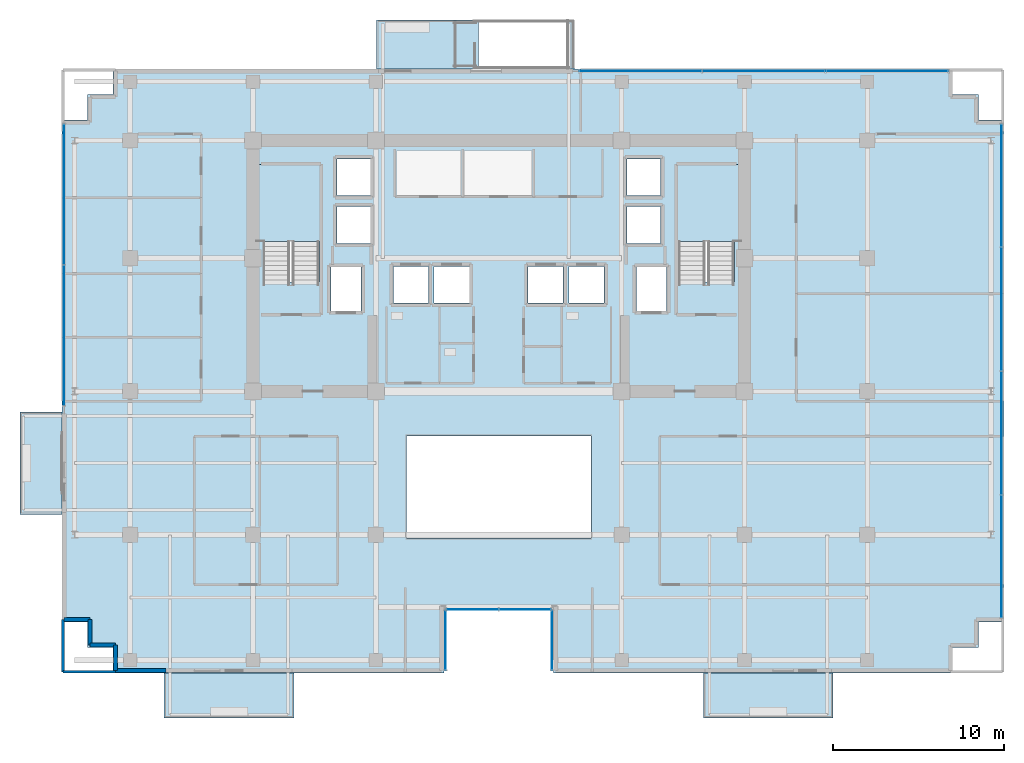
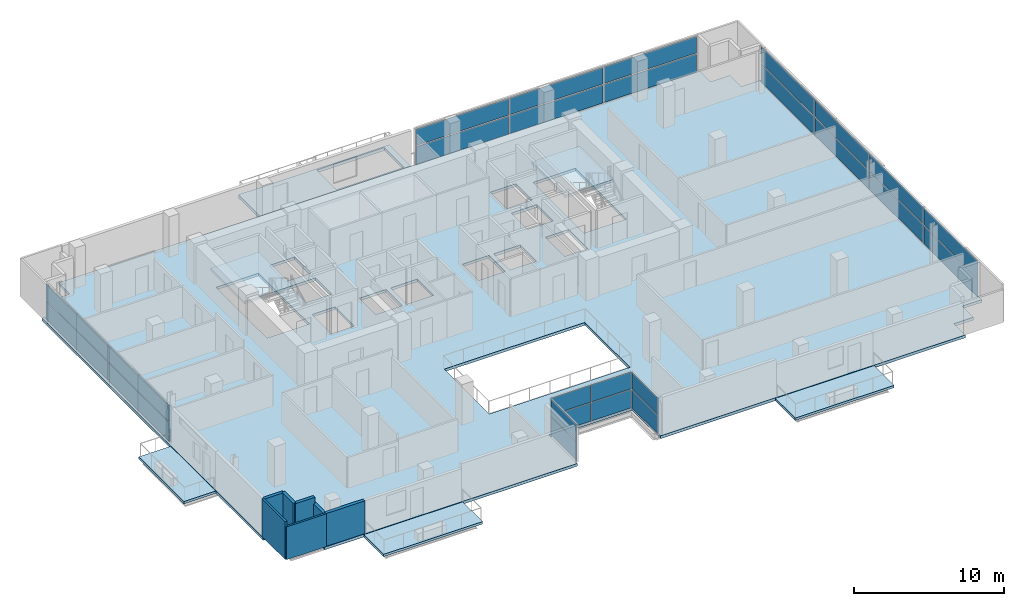
# One storey, part 14 of 23: 26 plates, 7 slabs, 7 walls, 8 elements without a shape of their own.
"""IFC4 building model written with IfcOpenShell, lengths in metres."""

from ifc_helpers import new_model, si_unit, direction, frame, frame_2d, origin, origin_2d, place, context, subcontext, project, spatial, polyline, rectangle, outline, extrude, source, transform, mapped, material, layer, layer_set, type_object, element, aggregate, save


model = new_model("IFC4")

# Units and contexts
model_context = context("Model", 3, precision=1e-05, world=origin(), true_north=direction((0.0, 1.0)))
body_context = subcontext(model_context, "Body", "Model", "MODEL_VIEW")
ifc_project = project(units=[si_unit("LENGTHUNIT", "METRE"), si_unit("AREAUNIT", "SQUARE_METRE"), si_unit("VOLUMEUNIT", "CUBIC_METRE"), si_unit("PLANEANGLEUNIT", "RADIAN"), si_unit("MASSUNIT", "GRAM", prefix="KILO")], contexts=[model_context])

# Site, building, storey
site_placement = place(None, origin())
site = spatial("IfcSite", under=ifc_project, at=site_placement, CompositionType="ELEMENT")
building_placement = place(site_placement, origin())
building = spatial("IfcBuilding", under=site, at=building_placement, Name="Zarnakvel Exchange Tower", CompositionType="ELEMENT")
storey_placement = place(building_placement, frame((0.0, 0.0, 116.5)))
storey = spatial("IfcBuildingStorey", under=building, at=storey_placement, Name="L32", CompositionType="ELEMENT", Elevation=116.5)

# Stair, slab
ifc_material_1 = material(Name="Concrete C40/50", Category="concrete")
stair_type = type_object("IfcStairType", Name="STR-01", PredefinedType="HALF_TURN_STAIR", material=ifc_material_1)
stair_1_placement = place(storey_placement, origin())
stair_1 = element("IfcStair", 1, at=stair_1_placement, inside=storey, type_object=stair_type, Name="L32 Protected Core Exit Stair ST-01", PredefinedType="HALF_TURN_STAIR")
ifc_layer_1 = layer(ifc_material_1, 0.199951171875)
ifc_layer_set_1 = layer_set([ifc_layer_1], Name="Concrete C40/50")
slab_type_1 = type_object("IfcSlabType", Name="LDG-01", PredefinedType="LANDING", material=ifc_layer_set_1)
slab_1_placement = place(storey_placement, frame((0.0, 0.0, 1.449951171875)))
slab_1 = element("IfcSlab", 2, at=slab_1_placement, type_object=slab_type_1, Name="ST-01 landing 1", PredefinedType="LANDING", context=body_context, shape_type="SweptSolid", body=[
    extrude(outline(polyline([(-14.18994140625, 7.570068359375), (-10.4599609375, 7.570068359375), (-10.4599609375, 12.080078125), (-14.18994140625, 12.080078125), (-14.18994140625, 7.570068359375)])), origin(), (0.0, 0.0, 1.0), 0.199951171875),
])
aggregate(stair_1, [slab_1])

stair_2_placement = place(storey_placement, origin())
stair_2 = element("IfcStair", 3, at=stair_2_placement, inside=storey, type_object=stair_type, Name="L32 Protected Core Exit Stair ST-02", PredefinedType="HALF_TURN_STAIR")
slab_2_placement = place(storey_placement, frame((0.0, 0.0, 1.449951171875)))
slab_2 = element("IfcSlab", 4, at=slab_2_placement, type_object=slab_type_1, Name="ST-02 landing 1", PredefinedType="LANDING", context=body_context, shape_type="SweptSolid", body=[
    extrude(outline(polyline([(10.4599609375, 7.570068359375), (14.18994140625, 7.570068359375), (14.18994140625, 12.080078125), (10.4599609375, 12.080078125), (10.4599609375, 7.570068359375)])), origin(), (0.0, 0.0, 1.0), 0.199951171875),
])
aggregate(stair_2, [slab_2])

# Slabs
ifc_layer_2 = layer(ifc_material_1, 0.22509765625)
ifc_layer_set_2 = layer_set([ifc_layer_2], Name="Concrete C40/50")
slab_type_2 = type_object("IfcSlabType", Name="SL-04", PredefinedType="FLOOR", material=ifc_layer_set_2)
slab_3_placement = place(storey_placement, frame((0.0, 0.0, -0.22509765625)))
element("IfcSlab", 5, at=slab_3_placement, inside=storey, type_object=slab_type_2, Name="L32 Primary Structural Floor Slab", PredefinedType="FLOOR", context=body_context, shape_type="SweptSolid", body=[
    extrude(outline(polyline([(-25.60009765625, -14.699951171875), (-24.10009765625, -14.699951171875), (-24.10009765625, -16.199951171875), (-22.60009765625, -16.199951171875), (-22.60009765625, -17.699951171875), (-3.199951171875, -17.699951171875), (-3.199951171875, -13.89990234375), (3.199951171875, -13.89990234375), (3.199951171875, -17.699951171875), (26.60009765625, -17.699951171875), (26.60009765625, -16.199951171875), (28.10009765625, -16.199951171875), (28.10009765625, -14.699951171875), (29.60009765625, -14.699951171875), (29.60009765625, 14.699951171875), (28.10009765625, 14.699951171875), (28.10009765625, 16.199951171875), (26.60009765625, 16.199951171875), (26.60009765625, 17.699951171875), (-22.60009765625, 17.699951171875), (-22.60009765625, 16.199951171875), (-24.10009765625, 16.199951171875), (-24.10009765625, 14.699951171875), (-25.60009765625, 14.699951171875), (-25.60009765625, -14.699951171875)]), holes=[polyline([(-5.39990234375, -9.800048828125), (5.39990234375, -9.800048828125), (5.39990234375, -3.800048828125), (-5.39990234375, -3.800048828125), (-5.39990234375, -9.800048828125)]), polyline([(-13.800048828125, 5.2099609375), (-10.5400390625, 5.2099609375), (-10.5400390625, 12.0), (-13.800048828125, 12.0), (-13.800048828125, 5.2099609375)]), polyline([(10.5400390625, 5.2099609375), (13.800048828125, 5.2099609375), (13.800048828125, 12.0), (10.5400390625, 12.0), (10.5400390625, 5.2099609375)]), polyline([(-9.830078125, 3.52001953125), (-8.070068359375, 3.52001953125), (-8.070068359375, 6.080078125), (-9.830078125, 6.080078125), (-9.830078125, 3.52001953125)]), polyline([(8.070068359375, 3.52001953125), (9.830078125, 3.52001953125), (9.830078125, 6.080078125), (8.070068359375, 6.080078125), (8.070068359375, 3.52001953125)]), polyline([(-6.179931640625, 3.969970703125), (-4.1201171875, 3.969970703125), (-4.1201171875, 6.1298828125), (-6.179931640625, 6.1298828125), (-6.179931640625, 3.969970703125)]), polyline([(-3.780029296875, 3.969970703125), (-1.719970703125, 3.969970703125), (-1.719970703125, 6.1298828125), (-3.780029296875, 6.1298828125), (-3.780029296875, 3.969970703125)]), polyline([(1.719970703125, 3.969970703125), (3.780029296875, 3.969970703125), (3.780029296875, 6.1298828125), (1.719970703125, 6.1298828125), (1.719970703125, 3.969970703125)]), polyline([(4.1201171875, 3.969970703125), (6.179931640625, 3.969970703125), (6.179931640625, 6.1298828125), (4.1201171875, 6.1298828125), (4.1201171875, 3.969970703125)]), polyline([(-9.47998046875, 7.469970703125), (-7.52001953125, 7.469970703125), (-7.52001953125, 9.6298828125), (-9.47998046875, 9.6298828125), (-9.47998046875, 7.469970703125)]), polyline([(-9.47998046875, 10.27001953125), (-7.52001953125, 10.27001953125), (-7.52001953125, 12.429931640625), (-9.47998046875, 12.429931640625), (-9.47998046875, 10.27001953125)]), polyline([(7.52001953125, 7.469970703125), (9.47998046875, 7.469970703125), (9.47998046875, 9.6298828125), (7.52001953125, 9.6298828125), (7.52001953125, 7.469970703125)]), polyline([(7.52001953125, 10.27001953125), (9.47998046875, 10.27001953125), (9.47998046875, 12.429931640625), (7.52001953125, 12.429931640625), (7.52001953125, 10.27001953125)])]), origin(), (0.0, 0.0, 1.0), 0.22509765625),
])
ifc_layer_3 = layer(ifc_material_1, 0.25)
ifc_layer_set_3 = layer_set([ifc_layer_3], Name="Concrete C40/50")
slab_type_3 = type_object("IfcSlabType", Name="SL-07", PredefinedType="ROOF", material=ifc_layer_set_3)
slab_4_placement = place(storey_placement, frame((0.0, 0.0, -0.25)))
element("IfcSlab", 6, at=slab_4_placement, inside=storey, type_object=slab_type_3, Name="L32 Spiral Sky-Terrace Outdoor Slab (NW)", PredefinedType="ROOF", context=body_context, shape_type="SweptSolid", body=[
    extrude(outline(polyline([(-7.14990234375, 17.699951171875), (4.449951171875, 17.699951171875), (4.449951171875, 20.56005859375), (-7.14990234375, 20.56005859375), (-7.14990234375, 17.699951171875)]), holes=[polyline([(-1.18994140625, 17.820068359375), (4.0, 17.820068359375), (4.0, 20.43994140625), (-1.18994140625, 20.43994140625), (-1.18994140625, 17.820068359375)])]), origin(), (0.0, 0.0, 1.0), 0.25),
])
ifc_layer_4 = layer(ifc_material_1, 0.18994140625)
ifc_layer_set_4 = layer_set([ifc_layer_4], Name="Concrete C40/50")
slab_type_4 = type_object("IfcSlabType", Name="SL-08", PredefinedType="USERDEFINED", material=ifc_layer_set_4)
slab_5_placement = place(storey_placement, frame((0.0, 0.0, -0.22509765625)))
element("IfcSlab", 7, at=slab_5_placement, inside=storey, type_object=slab_type_4, Name="L32 Planted Loggia Balcony Slab BAL-L32-SW", ObjectType="BALCONY", PredefinedType="USERDEFINED", context=body_context, shape_type="SweptSolid", body=[
    extrude(outline(polyline([(-19.60009765625, -20.35009765625), (-12.0, -20.35009765625), (-12.0, -17.699951171875), (-19.60009765625, -17.699951171875), (-19.60009765625, -20.35009765625)])), origin(), (0.0, 0.0, 1.0), 0.190185546875),
])
slab_6_placement = place(storey_placement, frame((0.0, 0.0, -0.22509765625)))
element("IfcSlab", 8, at=slab_6_placement, inside=storey, type_object=slab_type_4, Name="L32 Planted Loggia Balcony Slab BAL-L32-SE", ObjectType="BALCONY", PredefinedType="USERDEFINED", context=body_context, shape_type="SweptSolid", body=[
    extrude(outline(polyline([(12.0, -20.35009765625), (19.60009765625, -20.35009765625), (19.60009765625, -17.699951171875), (12.0, -17.699951171875), (12.0, -20.35009765625)])), origin(), (0.0, 0.0, 1.0), 0.190185546875),
])
slab_7_placement = place(storey_placement, frame((0.0, 0.0, -0.22509765625)))
element("IfcSlab", 9, at=slab_7_placement, inside=storey, type_object=slab_type_4, Name="L32 Planted Loggia Balcony Slab BAL-L32-W", ObjectType="BALCONY", PredefinedType="USERDEFINED", context=body_context, shape_type="SweptSolid", body=[
    extrude(outline(polyline([(-28.050048828125, -8.39990234375), (-25.60009765625, -8.39990234375), (-25.60009765625, -2.39990234375), (-28.050048828125, -2.39990234375), (-28.050048828125, -8.39990234375)])), origin(), (0.0, 0.0, 1.0), 0.190185546875),
])

# Curtain wall, plate
ifc_material_2 = material(Name="Architectural Bronze Anodised Aluminium", Category="aluminium")
ifc_layer_5 = layer(ifc_material_2, 0.179931640625)
ifc_layer_set_5 = layer_set([ifc_layer_5], Name="Architectural Bronze Anodised Aluminium")
curtain_wall_type_1 = type_object("IfcCurtainWallType", Name="CW-05", PredefinedType="NOTDEFINED", material=ifc_layer_set_5)
curtain_wall_1_placement = place(storey_placement, origin())
curtain_wall_1 = element("IfcCurtainWall", 10, at=curtain_wall_1_placement, inside=storey, type_object=curtain_wall_type_1, Name="L32 Curtain Wall CW-L32-SLW (CW-05)", PredefinedType="NOTDEFINED")
ifc_material_3 = material(Name="Double Low-E Laminated Vision Glass", Category="glass")
ifc_layer_6 = layer(ifc_material_3, 0.02587890625)
ifc_layer_set_6 = layer_set([ifc_layer_6], Name="Double Low-E Laminated Vision Glass")
plate_type_1 = type_object("IfcPlateType", Name="CWP-05", PredefinedType="CURTAIN_PANEL", material=ifc_layer_set_6)
shared_shape_1 = source(origin(), body_context, "Body", "SweptSolid", [
    extrude(rectangle(XDim=3.4599609375, YDim=0.02587890625, at=origin_2d()), origin(), (0.0, 0.0, 1.0), 1.483642578125),
])
plate_1_placement = place(storey_placement, frame((-3.1201171875, -15.780029296875, 0.06982421875), z_axis=(0.0, 0.0, 1.0), x_axis=(0.0, 1.0, 0.0)))
plate_1 = element("IfcPlate", 11, at=plate_1_placement, type_object=plate_type_1, Name="CW-05 panel 1.1", PredefinedType="CURTAIN_PANEL", context=body_context, shape_type="MappedRepresentation", body=[
    mapped(shared_shape_1, transform((0.0, 0.0, 0.0), x_axis=(1.0, 0.0, 0.0), y_axis=(0.0, 1.0, 0.0), z_axis=(0.0, 0.0, 1.0), scale=1.0)),
])

curtain_wall_2_placement = place(storey_placement, origin())
curtain_wall_2 = element("IfcCurtainWall", 12, at=curtain_wall_2_placement, inside=storey, type_object=curtain_wall_type_1, Name="L32 Curtain Wall CW-L32-SLE (CW-05)", PredefinedType="NOTDEFINED")
plate_2_placement = place(storey_placement, frame((3.1201171875, -15.780029296875, 0.06982421875), z_axis=(0.0, 0.0, 1.0), x_axis=(0.0, -1.0, 0.0)))
plate_2 = element("IfcPlate", 13, at=plate_2_placement, type_object=plate_type_1, Name="CW-05 panel 1.1", PredefinedType="CURTAIN_PANEL", context=body_context, shape_type="MappedRepresentation", body=[
    mapped(shared_shape_1, transform((0.0, 0.0, 0.0), x_axis=(1.0, 0.0, 0.0), y_axis=(0.0, 1.0, 0.0), z_axis=(0.0, 0.0, 1.0), scale=1.0)),
])

# Plate
shared_shape_2 = source(origin(), body_context, "Body", "SweptSolid", [
    extrude(rectangle(XDim=3.4599609375, YDim=0.02587890625, at=origin_2d()), origin(), (0.0, 0.0, 1.0), 1.361328125),
])
plate_3_placement = place(storey_placement, frame((-3.1201171875, -15.780029296875, 1.62353515625), z_axis=(0.0, 0.0, 1.0), x_axis=(0.0, 1.0, 0.0)))
plate_3 = element("IfcPlate", 14, at=plate_3_placement, type_object=plate_type_1, Name="CW-05 panel 1.2", PredefinedType="CURTAIN_PANEL", context=body_context, shape_type="MappedRepresentation", body=[
    mapped(shared_shape_2, transform((0.0, 0.0, 0.0), x_axis=(1.0, 0.0, 0.0), y_axis=(0.0, 1.0, 0.0), z_axis=(0.0, 0.0, 1.0), scale=1.0)),
])

aggregate(curtain_wall_1, [plate_1, plate_3])

plate_4_placement = place(storey_placement, frame((3.1201171875, -15.780029296875, 1.62353515625), z_axis=(0.0, 0.0, 1.0), x_axis=(0.0, -1.0, 0.0)))
plate_4 = element("IfcPlate", 15, at=plate_4_placement, type_object=plate_type_1, Name="CW-05 panel 1.2", PredefinedType="CURTAIN_PANEL", context=body_context, shape_type="MappedRepresentation", body=[
    mapped(shared_shape_2, transform((0.0, 0.0, 0.0), x_axis=(1.0, 0.0, 0.0), y_axis=(0.0, 1.0, 0.0), z_axis=(0.0, 0.0, 1.0), scale=1.0)),
])

aggregate(curtain_wall_2, [plate_2, plate_4])

# Curtain wall, plates
curtain_wall_3_placement = place(storey_placement, origin())
curtain_wall_3 = element("IfcCurtainWall", 16, at=curtain_wall_3_placement, inside=storey, type_object=curtain_wall_type_1, Name="L32 Curtain Wall CW-L32-SLB (CW-05)", PredefinedType="NOTDEFINED")
shared_shape_3 = source(origin(), body_context, "Body", "SweptSolid", [
    extrude(rectangle(XDim=3.014892578125, YDim=0.02587890625, at=origin_2d()), origin(), (0.0, 0.0, 1.0), 1.483642578125),
])
plate_5_placement = place(storey_placement, frame((-1.54248046875, -13.97998046875, 0.06982421875), z_axis=(0.0, 0.0, 1.0), x_axis=(1.0, 0.0, 0.0)))
plate_5 = element("IfcPlate", 17, at=plate_5_placement, type_object=plate_type_1, Name="CW-05 panel 1.1", PredefinedType="CURTAIN_PANEL", context=body_context, shape_type="MappedRepresentation", body=[
    mapped(shared_shape_3, transform((0.0, 0.0, 0.0), x_axis=(1.0, 0.0, 0.0), y_axis=(0.0, 1.0, 0.0), z_axis=(0.0, 0.0, 1.0), scale=1.0)),
])
plate_6_placement = place(storey_placement, frame((1.54248046875, -13.97998046875, 0.06982421875), z_axis=(0.0, 0.0, 1.0), x_axis=(1.0, 0.0, 0.0)))
plate_6 = element("IfcPlate", 18, at=plate_6_placement, type_object=plate_type_1, Name="CW-05 panel 2.1", PredefinedType="CURTAIN_PANEL", context=body_context, shape_type="MappedRepresentation", body=[
    mapped(shared_shape_3, transform((0.0, 0.0, 0.0), x_axis=(1.0, 0.0, 0.0), y_axis=(0.0, 1.0, 0.0), z_axis=(0.0, 0.0, 1.0), scale=1.0)),
])
shared_shape_4 = source(origin(), body_context, "Body", "SweptSolid", [
    extrude(rectangle(XDim=3.014892578125, YDim=0.02587890625, at=origin_2d()), origin(), (0.0, 0.0, 1.0), 1.361328125),
])
plate_7_placement = place(storey_placement, frame((-1.54248046875, -13.97998046875, 1.62353515625), z_axis=(0.0, 0.0, 1.0), x_axis=(1.0, 0.0, 0.0)))
plate_7 = element("IfcPlate", 19, at=plate_7_placement, type_object=plate_type_1, Name="CW-05 panel 1.2", PredefinedType="CURTAIN_PANEL", context=body_context, shape_type="MappedRepresentation", body=[
    mapped(shared_shape_4, transform((0.0, 0.0, 0.0), x_axis=(1.0, 0.0, 0.0), y_axis=(0.0, 1.0, 0.0), z_axis=(0.0, 0.0, 1.0), scale=1.0)),
])
plate_8_placement = place(storey_placement, frame((1.54248046875, -13.97998046875, 1.62353515625), z_axis=(0.0, 0.0, 1.0), x_axis=(1.0, 0.0, 0.0)))
plate_8 = element("IfcPlate", 20, at=plate_8_placement, type_object=plate_type_1, Name="CW-05 panel 2.2", PredefinedType="CURTAIN_PANEL", context=body_context, shape_type="MappedRepresentation", body=[
    mapped(shared_shape_4, transform((0.0, 0.0, 0.0), x_axis=(1.0, 0.0, 0.0), y_axis=(0.0, 1.0, 0.0), z_axis=(0.0, 0.0, 1.0), scale=1.0)),
])
aggregate(curtain_wall_3, [plate_5, plate_7, plate_6, plate_8])

ifc_layer_7 = layer(ifc_material_2, 0.239990234375)
ifc_layer_set_7 = layer_set([ifc_layer_7], Name="Architectural Bronze Anodised Aluminium")
curtain_wall_type_2 = type_object("IfcCurtainWallType", Name="CW-02", PredefinedType="NOTDEFINED", material=ifc_layer_set_7)
curtain_wall_4_placement = place(storey_placement, origin())
curtain_wall_4 = element("IfcCurtainWall", 21, at=curtain_wall_4_placement, inside=storey, type_object=curtain_wall_type_2, Name="L32 Curtain Wall CW-L32-N1 (CW-02)", PredefinedType="NOTDEFINED")
ifc_layer_8 = layer(ifc_material_3, 0.031982421875)
ifc_layer_set_8 = layer_set([ifc_layer_8], Name="Double Low-E Laminated Vision Glass")
plate_type_2 = type_object("IfcPlateType", Name="CWP-02", PredefinedType="CURTAIN_PANEL", material=ifc_layer_set_8)
shared_shape_5 = source(origin(), body_context, "Body", "SweptSolid", [
    extrude(rectangle(XDim=7.114990234375, YDim=0.031982421875, at=origin_2d()), origin(), (0.0, 0.0, 1.0), 1.461181640625),
])
plate_9_placement = place(storey_placement, frame((8.297607421875, 17.56005859375, 0.0849609375), z_axis=(0.0, 0.0, 1.0), x_axis=(1.0, 0.0, 0.0)))
plate_9 = element("IfcPlate", 22, at=plate_9_placement, type_object=plate_type_2, Name="CW-02 panel 1.1", PredefinedType="CURTAIN_PANEL", context=body_context, shape_type="MappedRepresentation", body=[
    mapped(shared_shape_5, transform((0.0, 0.0, 0.0), x_axis=(1.0, 0.0, 0.0), y_axis=(0.0, 1.0, 0.0), z_axis=(0.0, 0.0, 1.0), scale=1.0)),
])
plate_10_placement = place(storey_placement, frame((22.75244140625, 17.56005859375, 0.0849609375), z_axis=(0.0, 0.0, 1.0), x_axis=(1.0, 0.0, 0.0)))
plate_10 = element("IfcPlate", 23, at=plate_10_placement, type_object=plate_type_2, Name="CW-02 panel 3.1", PredefinedType="CURTAIN_PANEL", context=body_context, shape_type="MappedRepresentation", body=[
    mapped(shared_shape_5, transform((0.0, 0.0, 0.0), x_axis=(1.0, 0.0, 0.0), y_axis=(0.0, 1.0, 0.0), z_axis=(0.0, 0.0, 1.0), scale=1.0)),
])
shared_shape_6 = source(origin(), body_context, "Body", "SweptSolid", [
    extrude(rectangle(XDim=7.114990234375, YDim=0.031982421875, at=origin_2d()), origin(), (0.0, 0.0, 1.0), 1.3388671875),
])
plate_11_placement = place(storey_placement, frame((8.297607421875, 17.56005859375, 1.631103515625), z_axis=(0.0, 0.0, 1.0), x_axis=(1.0, 0.0, 0.0)))
plate_11 = element("IfcPlate", 24, at=plate_11_placement, type_object=plate_type_2, Name="CW-02 panel 1.2", PredefinedType="CURTAIN_PANEL", context=body_context, shape_type="MappedRepresentation", body=[
    mapped(shared_shape_6, transform((0.0, 0.0, 0.0), x_axis=(1.0, 0.0, 0.0), y_axis=(0.0, 1.0, 0.0), z_axis=(0.0, 0.0, 1.0), scale=1.0)),
])
plate_12_placement = place(storey_placement, frame((22.75244140625, 17.56005859375, 1.631103515625), z_axis=(0.0, 0.0, 1.0), x_axis=(1.0, 0.0, 0.0)))
plate_12 = element("IfcPlate", 25, at=plate_12_placement, type_object=plate_type_2, Name="CW-02 panel 3.2", PredefinedType="CURTAIN_PANEL", context=body_context, shape_type="MappedRepresentation", body=[
    mapped(shared_shape_6, transform((0.0, 0.0, 0.0), x_axis=(1.0, 0.0, 0.0), y_axis=(0.0, 1.0, 0.0), z_axis=(0.0, 0.0, 1.0), scale=1.0)),
])
shared_shape_7 = source(origin(), body_context, "Body", "SweptSolid", [
    extrude(rectangle(XDim=7.159912109375, YDim=0.031982421875, at=origin_2d()), origin(), (0.0, 0.0, 1.0), 1.461181640625),
])
plate_13_placement = place(storey_placement, frame((15.52490234375, 17.56005859375, 0.0849609375), z_axis=(0.0, 0.0, 1.0), x_axis=(1.0, 0.0, 0.0)))
plate_13 = element("IfcPlate", 26, at=plate_13_placement, type_object=plate_type_2, Name="CW-02 panel 2.1", PredefinedType="CURTAIN_PANEL", context=body_context, shape_type="MappedRepresentation", body=[
    mapped(shared_shape_7, transform((0.0, 0.0, 0.0), x_axis=(1.0, 0.0, 0.0), y_axis=(0.0, 1.0, 0.0), z_axis=(0.0, 0.0, 1.0), scale=1.0)),
])
shared_shape_8 = source(origin(), body_context, "Body", "SweptSolid", [
    extrude(rectangle(XDim=7.159912109375, YDim=0.031982421875, at=origin_2d()), origin(), (0.0, 0.0, 1.0), 1.3388671875),
])
plate_14_placement = place(storey_placement, frame((15.52490234375, 17.56005859375, 1.631103515625), z_axis=(0.0, 0.0, 1.0), x_axis=(1.0, 0.0, 0.0)))
plate_14 = element("IfcPlate", 27, at=plate_14_placement, type_object=plate_type_2, Name="CW-02 panel 2.2", PredefinedType="CURTAIN_PANEL", context=body_context, shape_type="MappedRepresentation", body=[
    mapped(shared_shape_8, transform((0.0, 0.0, 0.0), x_axis=(1.0, 0.0, 0.0), y_axis=(0.0, 1.0, 0.0), z_axis=(0.0, 0.0, 1.0), scale=1.0)),
])
aggregate(curtain_wall_4, [plate_9, plate_11, plate_13, plate_14, plate_10, plate_12])

ifc_layer_9 = layer(ifc_material_2, 0.199951171875)
ifc_layer_set_9 = layer_set([ifc_layer_9], Name="Architectural Bronze Anodised Aluminium")
curtain_wall_type_3 = type_object("IfcCurtainWallType", Name="CW-04", PredefinedType="NOTDEFINED", material=ifc_layer_set_9)
curtain_wall_5_placement = place(storey_placement, origin())
curtain_wall_5 = element("IfcCurtainWall", 28, at=curtain_wall_5_placement, inside=storey, type_object=curtain_wall_type_3, Name="L32 Curtain Wall CW-L32-E1 (CW-04)", PredefinedType="NOTDEFINED")
ifc_layer_10 = layer(ifc_material_3, 0.028076171875)
ifc_layer_set_10 = layer_set([ifc_layer_10], Name="Double Low-E Laminated Vision Glass")
plate_type_3 = type_object("IfcPlateType", Name="CWP-04", PredefinedType="CURTAIN_PANEL", material=ifc_layer_set_10)
shared_shape_9 = source(origin(), body_context, "Body", "SweptSolid", [
    extrude(rectangle(XDim=7.137451171875, YDim=0.028076171875, at=origin_2d()), origin(), (0.0, 0.0, 1.0), 1.47607421875),
])
plate_15_placement = place(storey_placement, frame((29.4599609375, -10.856201171875, 0.074951171875), z_axis=(0.0, 0.0, 1.0), x_axis=(0.0, 1.0, 0.0)))
plate_15 = element("IfcPlate", 29, at=plate_15_placement, type_object=plate_type_3, Name="CW-04 panel 1.1", PredefinedType="CURTAIN_PANEL", context=body_context, shape_type="MappedRepresentation", body=[
    mapped(shared_shape_9, transform((0.0, 0.0, 0.0), x_axis=(1.0, 0.0, 0.0), y_axis=(0.0, 1.0, 0.0), z_axis=(0.0, 0.0, 1.0), scale=1.0)),
])
plate_16_placement = place(storey_placement, frame((29.4599609375, 10.856201171875, 0.074951171875), z_axis=(0.0, 0.0, 1.0), x_axis=(0.0, 1.0, 0.0)))
plate_16 = element("IfcPlate", 30, at=plate_16_placement, type_object=plate_type_3, Name="CW-04 panel 4.1", PredefinedType="CURTAIN_PANEL", context=body_context, shape_type="MappedRepresentation", body=[
    mapped(shared_shape_9, transform((0.0, 0.0, 0.0), x_axis=(1.0, 0.0, 0.0), y_axis=(0.0, 1.0, 0.0), z_axis=(0.0, 0.0, 1.0), scale=1.0)),
])
shared_shape_10 = source(origin(), body_context, "Body", "SweptSolid", [
    extrude(rectangle(XDim=7.137451171875, YDim=0.028076171875, at=origin_2d()), origin(), (0.0, 0.0, 1.0), 1.35400390625),
])
plate_17_placement = place(storey_placement, frame((29.4599609375, -10.856201171875, 1.6259765625), z_axis=(0.0, 0.0, 1.0), x_axis=(0.0, 1.0, 0.0)))
plate_17 = element("IfcPlate", 31, at=plate_17_placement, type_object=plate_type_3, Name="CW-04 panel 1.2", PredefinedType="CURTAIN_PANEL", context=body_context, shape_type="MappedRepresentation", body=[
    mapped(shared_shape_10, transform((0.0, 0.0, 0.0), x_axis=(1.0, 0.0, 0.0), y_axis=(0.0, 1.0, 0.0), z_axis=(0.0, 0.0, 1.0), scale=1.0)),
])
plate_18_placement = place(storey_placement, frame((29.4599609375, 10.856201171875, 1.6259765625), z_axis=(0.0, 0.0, 1.0), x_axis=(0.0, 1.0, 0.0)))
plate_18 = element("IfcPlate", 32, at=plate_18_placement, type_object=plate_type_3, Name="CW-04 panel 4.2", PredefinedType="CURTAIN_PANEL", context=body_context, shape_type="MappedRepresentation", body=[
    mapped(shared_shape_10, transform((0.0, 0.0, 0.0), x_axis=(1.0, 0.0, 0.0), y_axis=(0.0, 1.0, 0.0), z_axis=(0.0, 0.0, 1.0), scale=1.0)),
])
shared_shape_11 = source(origin(), body_context, "Body", "SweptSolid", [
    extrude(rectangle(XDim=7.175048828125, YDim=0.028076171875, at=origin_2d()), origin(), (0.0, 0.0, 1.0), 1.47607421875),
])
plate_19_placement = place(storey_placement, frame((29.4599609375, -3.625, 0.074951171875), z_axis=(0.0, 0.0, 1.0), x_axis=(0.0, 1.0, 0.0)))
plate_19 = element("IfcPlate", 33, at=plate_19_placement, type_object=plate_type_3, Name="CW-04 panel 2.1", PredefinedType="CURTAIN_PANEL", context=body_context, shape_type="MappedRepresentation", body=[
    mapped(shared_shape_11, transform((0.0, 0.0, 0.0), x_axis=(1.0, 0.0, 0.0), y_axis=(0.0, 1.0, 0.0), z_axis=(0.0, 0.0, 1.0), scale=1.0)),
])
plate_20_placement = place(storey_placement, frame((29.4599609375, 3.625, 0.074951171875), z_axis=(0.0, 0.0, 1.0), x_axis=(0.0, 1.0, 0.0)))
plate_20 = element("IfcPlate", 34, at=plate_20_placement, type_object=plate_type_3, Name="CW-04 panel 3.1", PredefinedType="CURTAIN_PANEL", context=body_context, shape_type="MappedRepresentation", body=[
    mapped(shared_shape_11, transform((0.0, 0.0, 0.0), x_axis=(1.0, 0.0, 0.0), y_axis=(0.0, 1.0, 0.0), z_axis=(0.0, 0.0, 1.0), scale=1.0)),
])
shared_shape_12 = source(origin(), body_context, "Body", "SweptSolid", [
    extrude(rectangle(XDim=7.175048828125, YDim=0.028076171875, at=origin_2d()), origin(), (0.0, 0.0, 1.0), 1.35400390625),
])
plate_21_placement = place(storey_placement, frame((29.4599609375, -3.625, 1.6259765625), z_axis=(0.0, 0.0, 1.0), x_axis=(0.0, 1.0, 0.0)))
plate_21 = element("IfcPlate", 35, at=plate_21_placement, type_object=plate_type_3, Name="CW-04 panel 2.2", PredefinedType="CURTAIN_PANEL", context=body_context, shape_type="MappedRepresentation", body=[
    mapped(shared_shape_12, transform((0.0, 0.0, 0.0), x_axis=(1.0, 0.0, 0.0), y_axis=(0.0, 1.0, 0.0), z_axis=(0.0, 0.0, 1.0), scale=1.0)),
])
plate_22_placement = place(storey_placement, frame((29.4599609375, 3.625, 1.6259765625), z_axis=(0.0, 0.0, 1.0), x_axis=(0.0, 1.0, 0.0)))
plate_22 = element("IfcPlate", 36, at=plate_22_placement, type_object=plate_type_3, Name="CW-04 panel 3.2", PredefinedType="CURTAIN_PANEL", context=body_context, shape_type="MappedRepresentation", body=[
    mapped(shared_shape_12, transform((0.0, 0.0, 0.0), x_axis=(1.0, 0.0, 0.0), y_axis=(0.0, 1.0, 0.0), z_axis=(0.0, 0.0, 1.0), scale=1.0)),
])
aggregate(curtain_wall_5, [plate_15, plate_17, plate_19, plate_21, plate_20, plate_22, plate_16, plate_18])

curtain_wall_6_placement = place(storey_placement, origin())
curtain_wall_6 = element("IfcCurtainWall", 37, at=curtain_wall_6_placement, inside=storey, type_object=curtain_wall_type_3, Name="L32 Curtain Wall CW-L32-WN (CW-04)", PredefinedType="NOTDEFINED")
shared_shape_13 = source(origin(), body_context, "Body", "SweptSolid", [
    extrude(rectangle(XDim=8.1875, YDim=0.028076171875, at=origin_2d()), origin(), (0.0, 0.0, 1.0), 1.47607421875),
])
plate_23_placement = place(storey_placement, frame((-25.4599609375, 2.06884765625, 0.074951171875), z_axis=(0.0, 0.0, 1.0), x_axis=(0.0, 1.0, 0.0)))
plate_23 = element("IfcPlate", 38, at=plate_23_placement, type_object=plate_type_3, Name="CW-04 panel 1.1", PredefinedType="CURTAIN_PANEL", context=body_context, shape_type="MappedRepresentation", body=[
    mapped(shared_shape_13, transform((0.0, 0.0, 0.0), x_axis=(1.0, 0.0, 0.0), y_axis=(0.0, 1.0, 0.0), z_axis=(0.0, 0.0, 1.0), scale=1.0)),
])
plate_24_placement = place(storey_placement, frame((-25.4599609375, 10.331298828125, 0.074951171875), z_axis=(0.0, 0.0, 1.0), x_axis=(0.0, 1.0, 0.0)))
plate_24 = element("IfcPlate", 39, at=plate_24_placement, type_object=plate_type_3, Name="CW-04 panel 2.1", PredefinedType="CURTAIN_PANEL", context=body_context, shape_type="MappedRepresentation", body=[
    mapped(shared_shape_13, transform((0.0, 0.0, 0.0), x_axis=(1.0, 0.0, 0.0), y_axis=(0.0, 1.0, 0.0), z_axis=(0.0, 0.0, 1.0), scale=1.0)),
])
shared_shape_14 = source(origin(), body_context, "Body", "SweptSolid", [
    extrude(rectangle(XDim=8.1875, YDim=0.028076171875, at=origin_2d()), origin(), (0.0, 0.0, 1.0), 1.35400390625),
])
plate_25_placement = place(storey_placement, frame((-25.4599609375, 2.06884765625, 1.6259765625), z_axis=(0.0, 0.0, 1.0), x_axis=(0.0, 1.0, 0.0)))
plate_25 = element("IfcPlate", 40, at=plate_25_placement, type_object=plate_type_3, Name="CW-04 panel 1.2", PredefinedType="CURTAIN_PANEL", context=body_context, shape_type="MappedRepresentation", body=[
    mapped(shared_shape_14, transform((0.0, 0.0, 0.0), x_axis=(1.0, 0.0, 0.0), y_axis=(0.0, 1.0, 0.0), z_axis=(0.0, 0.0, 1.0), scale=1.0)),
])
plate_26_placement = place(storey_placement, frame((-25.4599609375, 10.331298828125, 1.6259765625), z_axis=(0.0, 0.0, 1.0), x_axis=(0.0, 1.0, 0.0)))
plate_26 = element("IfcPlate", 41, at=plate_26_placement, type_object=plate_type_3, Name="CW-04 panel 2.2", PredefinedType="CURTAIN_PANEL", context=body_context, shape_type="MappedRepresentation", body=[
    mapped(shared_shape_14, transform((0.0, 0.0, 0.0), x_axis=(1.0, 0.0, 0.0), y_axis=(0.0, 1.0, 0.0), z_axis=(0.0, 0.0, 1.0), scale=1.0)),
])
aggregate(curtain_wall_6, [plate_23, plate_25, plate_24, plate_26])

# Walls
ifc_material_4 = material(Name="Precast concrete C40/50", Category="concrete")
ifc_layer_11 = layer(ifc_material_4, 0.239990234375)
ifc_layer_set_11 = layer_set([ifc_layer_11], Name="Precast concrete C40/50")
wall_type_1 = type_object("IfcWallType", Name="EW-02", PredefinedType="SOLIDWALL", material=ifc_layer_set_11)
wall_1_placement = place(storey_placement, frame((-22.4599609375, -17.56005859375, 0.0), z_axis=(0.0, 0.0, 1.0), x_axis=(1.0, 0.0, 0.0)))
element("IfcWall", 42, at=wall_1_placement, inside=storey, type_object=wall_type_1, Name="L32 Exterior Precast Spandrel Wall EWC-L32-24 (EW-02)", PredefinedType="SOLIDWALL", context=body_context, shape_type="SweptSolid", body=[
    extrude(rectangle(XDim=2.9599609375, YDim=0.239990234375, at=frame_2d((1.47998046875, 0.0))), origin(), (0.0, 0.0, 1.0), 2.6650390625),
])
wall_2_placement = place(storey_placement, frame((-22.4599609375, -16.06005859375, 0.0), z_axis=(0.0, 0.0, 1.0), x_axis=(0.0, -1.0, 0.0)))
element("IfcWall", 43, at=wall_2_placement, inside=storey, type_object=wall_type_1, Name="L32 Exterior Precast Spandrel Wall EWC-L32-25 (EW-02)", PredefinedType="SOLIDWALL", context=body_context, shape_type="SweptSolid", body=[
    extrude(rectangle(XDim=1.5, YDim=0.239990234375, at=frame_2d((0.75, 0.0))), origin(), (0.0, 0.0, 1.0), 2.56494140625),
])
for number, where, z_axis, x_axis, name in (
    (44, (-23.9599609375, -16.06005859375, 0.0), (0.0, 0.0, 1.0), (1.0, 0.0, 0.0), "L32 Exterior Precast Spandrel Wall EWC-L32-26 (EW-02)"),
    (45, (-23.9599609375, -14.56005859375, 0.0), (0.0, 0.0, 1.0), (0.0, -1.0, 0.0), "L32 Exterior Precast Spandrel Wall EWC-L32-27 (EW-02)"),
    (46, (-25.4599609375, -14.56005859375, 0.0), (0.0, 0.0, 1.0), (1.0, 0.0, 0.0), "L32 Exterior Precast Spandrel Wall EWC-L32-28 (EW-02)"),
):
    element("IfcWall", number, at=place(storey_placement, frame(where, z_axis=z_axis, x_axis=x_axis)), inside=storey, type_object=wall_type_1, Name=name, PredefinedType="SOLIDWALL", context=body_context, shape_type="SweptSolid", body=[
        extrude(rectangle(XDim=1.5, YDim=0.239990234375, at=frame_2d((0.75, 0.0))), origin(), (0.0, 0.0, 1.0), 3.074951171875),
    ])
ifc_material_5 = material(Name="Fire-Rated Gypsum Stud Partition", Category="gypsum")
ifc_layer_12 = layer(ifc_material_5, 0.14990234375)
ifc_layer_set_12 = layer_set([ifc_layer_12], Name="Fire-Rated Gypsum Stud Partition")
wall_type_2 = type_object("IfcWallType", Name="PT-01", PredefinedType="PARTITIONING", material=ifc_layer_set_12)
wall_3_placement = place(storey_placement, frame((-22.4599609375, -17.6298828125, 0.0), z_axis=(0.0, 0.0, 1.0), x_axis=(-1.0, 0.0, 0.0)))
element("IfcWall", 47, at=wall_3_placement, inside=storey, type_object=wall_type_2, Name="L32 Partition Wall PWALL-L32-041 (PT-01)", PredefinedType="PARTITIONING", context=body_context, shape_type="SweptSolid", body=[
    extrude(rectangle(XDim=3.070068359375, YDim=0.14990234375, at=frame_2d((1.53515625, 0.0))), origin(), (0.0, 0.0, 1.0), 2.6650390625),
])
wall_4_placement = place(storey_placement, frame((-25.530029296875, -17.6298828125, 0.0), z_axis=(0.0, 0.0, 1.0), x_axis=(0.0, 1.0, 0.0)))
element("IfcWall", 48, at=wall_4_placement, inside=storey, type_object=wall_type_2, Name="L32 Partition Wall PWALL-L32-042 (PT-01)", PredefinedType="PARTITIONING", context=body_context, shape_type="SweptSolid", body=[
    extrude(rectangle(XDim=3.06982421875, YDim=0.14990234375, at=frame_2d((1.534912109375, 0.0))), origin(), (0.0, 0.0, 1.0), 3.074951171875),
])

save(model, "model.ifc")
